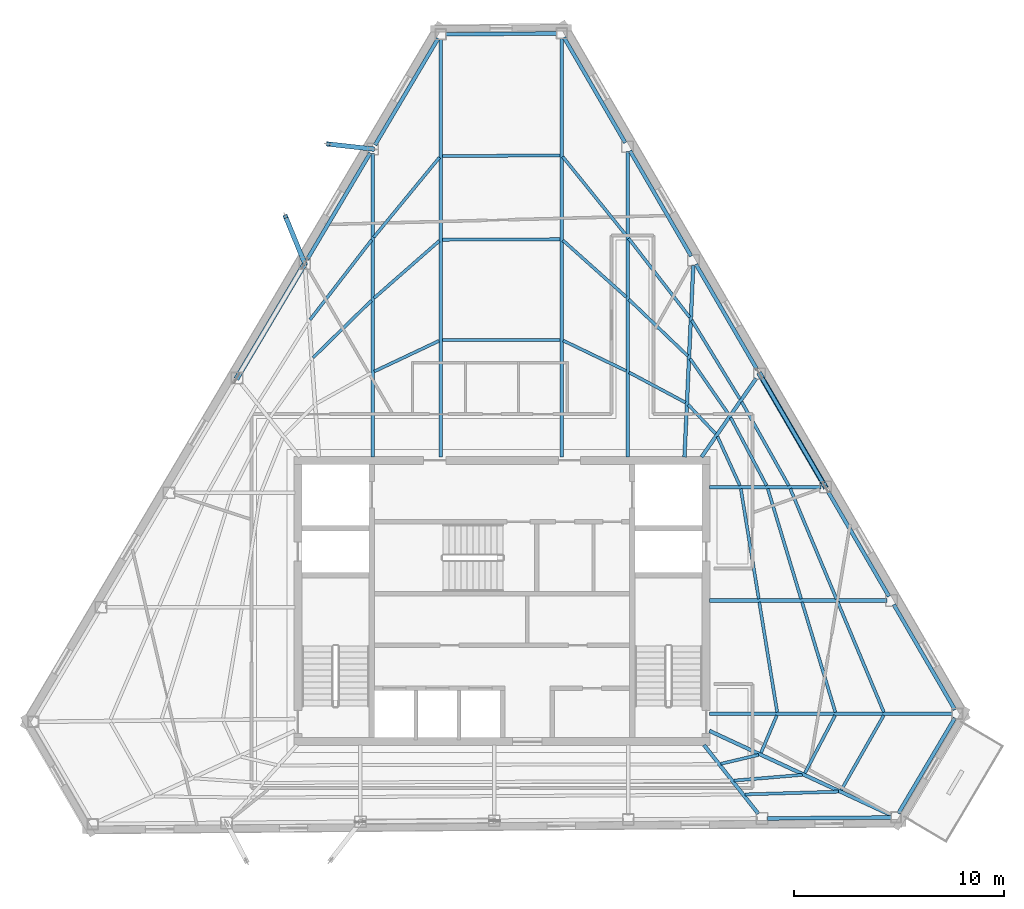
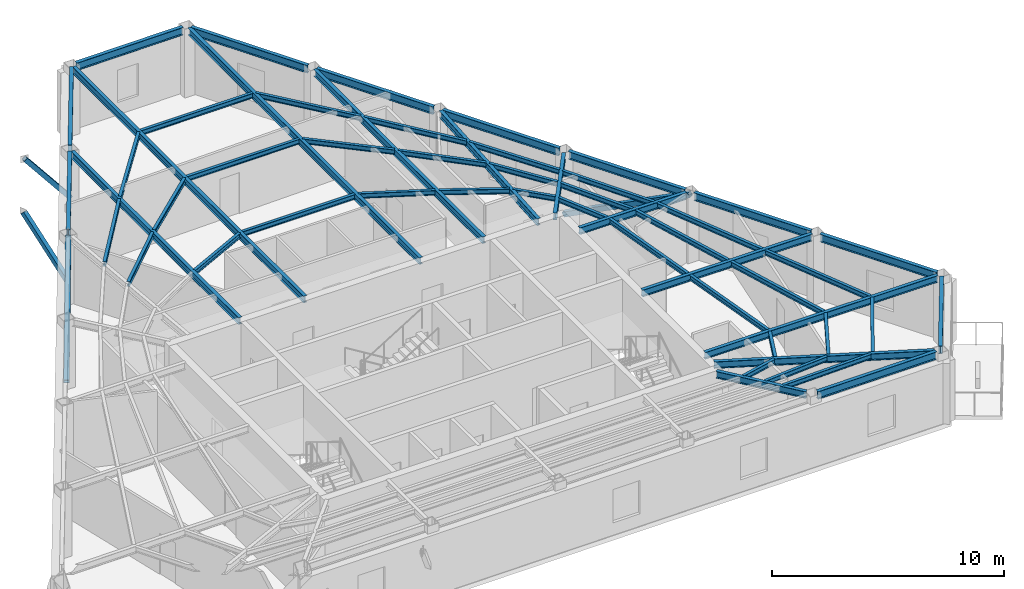
# One storey, part 2 of 10: 54 beams, 4 members.
"""IFC4 building model written with IfcOpenShell, lengths in metres."""

from ifc_helpers import new_model, si_unit, direction, frame, origin, origin_2d, place, context, subcontext, project, spatial, hollow_rectangle, i_section, extrude, material, material_profile, profile_set, type_object, element, save


model = new_model("IFC4")

# Units and contexts
model_context = context("Model", 3, precision=1e-05, world=origin(), true_north=direction((0.0, 1.0)))
body_context = subcontext(model_context, "Body", "Model", "MODEL_VIEW")
ifc_project = project(units=[si_unit("LENGTHUNIT", "METRE"), si_unit("AREAUNIT", "SQUARE_METRE"), si_unit("VOLUMEUNIT", "CUBIC_METRE"), si_unit("PLANEANGLEUNIT", "RADIAN"), si_unit("MASSUNIT", "GRAM", prefix="KILO")], contexts=[model_context])

# Site, building, storey
site_placement = place(None, origin())
site = spatial("IfcSite", under=ifc_project, at=site_placement, CompositionType="ELEMENT")
building_placement = place(site_placement, origin())
building = spatial("IfcBuilding", under=site, at=building_placement, Name="Kavelnor Concourse Tower", CompositionType="ELEMENT")
storey_placement = place(building_placement, frame((0.0, 0.0, 281.85009765625)))
storey = spatial("IfcBuildingStorey", under=building, at=storey_placement, Name="L71", CompositionType="ELEMENT", Elevation=281.85009765625)

# Beams
ifc_material = material(Name="Steel Grade 350", Category="steel")
ifc_material_profile_1 = material_profile(ifc_material, i_section(OverallWidth=0.14599609375, OverallDepth=0.256103515625, WebThickness=0.00634765625, FlangeThickness=0.010986328125, at=origin_2d()), Name="250UB37")
ifc_profile_set_1 = profile_set([ifc_material_profile_1], Name="Steel Grade 350")
beam_type_1 = type_object("IfcBeamType", Name="BM-JOIST-250", PredefinedType="JOIST", material=ifc_profile_set_1)
beam_1_placement = place(storey_placement, frame((48.409423828125, 8.3544921875, 3.48193359375), z_axis=(0.973084968917, 0.23044661696, 0.0), x_axis=(-0.23044661696, 0.973084968917, 0.0)))
element("IfcBeam", 1, at=beam_1_placement, inside=storey, type_object=beam_type_1, Name="L71 Secondary Composite Joist 08-1", PredefinedType="JOIST", context=body_context, shape_type="SweptSolid", body=[
    extrude(i_section(OverallWidth=0.14599609375, OverallDepth=0.256103515625, WebThickness=0.00634765625, FlangeThickness=0.010986328125, at=origin_2d()), origin(), (0.0, 0.0, 1.0), 1.8466796875),
])
beam_2_placement = place(storey_placement, frame((49.03125, 7.5576171875, 3.48193359375), z_axis=(0.996534907159, 0.083175590253, 0.0), x_axis=(-0.083175590253, 0.996534907159, 0.0)))
element("IfcBeam", 2, at=beam_2_placement, inside=storey, type_object=beam_type_1, Name="L71 Secondary Composite Joist 08-2", PredefinedType="JOIST", context=body_context, shape_type="SweptSolid", body=[
    extrude(i_section(OverallWidth=0.14599609375, OverallDepth=0.256103515625, WebThickness=0.00634765625, FlangeThickness=0.010986328125, at=origin_2d()), origin(), (0.0, 0.0, 1.0), 3.260986328125),
])
beam_3_placement = place(storey_placement, frame((49.548095703125, 6.899169921875, 3.48193359375), z_axis=(0.999567187147, 0.029418334064, 0.0), x_axis=(-0.029418334064, 0.999567187147, 0.0)))
element("IfcBeam", 3, at=beam_3_placement, inside=storey, type_object=beam_type_1, Name="L71 Secondary Composite Joist 08-3", PredefinedType="JOIST", context=body_context, shape_type="SweptSolid", body=[
    extrude(i_section(OverallWidth=0.14599609375, OverallDepth=0.256103515625, WebThickness=0.00634765625, FlangeThickness=0.010986328125, at=origin_2d()), origin(), (0.0, 0.0, 1.0), 4.46484375),
])
beam_4_placement = place(storey_placement, frame((50.318115234375, 8.87451171875, 3.48193359375), z_axis=(0.389017325912, 0.921230438132, 0.0), x_axis=(-0.921230438132, 0.389017325912, 0.0)))
element("IfcBeam", 4, at=beam_4_placement, inside=storey, type_object=beam_type_1, Name="L71 Secondary Composite Joist 09-1", PredefinedType="JOIST", context=body_context, shape_type="SweptSolid", body=[
    extrude(i_section(OverallWidth=0.14599609375, OverallDepth=0.256103515625, WebThickness=0.00634765625, FlangeThickness=0.010986328125, at=origin_2d()), origin(), (0.0, 0.0, 1.0), 1.931640625),
])
beam_5_placement = place(storey_placement, frame((52.400634765625, 7.908203125, 3.48193359375), z_axis=(0.464403743046, 0.88562360145, 0.0), x_axis=(-0.88562360145, 0.464403743046, 0.0)))
element("IfcBeam", 5, at=beam_5_placement, inside=storey, type_object=beam_type_1, Name="L71 Secondary Composite Joist 09-2", PredefinedType="JOIST", context=body_context, shape_type="SweptSolid", body=[
    extrude(i_section(OverallWidth=0.14599609375, OverallDepth=0.256103515625, WebThickness=0.00634765625, FlangeThickness=0.010986328125, at=origin_2d()), origin(), (0.0, 0.0, 1.0), 3.103759765625),
])
beam_6_placement = place(storey_placement, frame((54.133544921875, 7.10400390625, 3.48193359375), z_axis=(0.494388922965, 0.869240814073, 0.0), x_axis=(-0.869240814073, 0.494388922965, 0.0)))
element("IfcBeam", 6, at=beam_6_placement, inside=storey, type_object=beam_type_1, Name="L71 Secondary Composite Joist 09-3", PredefinedType="JOIST", context=body_context, shape_type="SweptSolid", body=[
    extrude(i_section(OverallWidth=0.14599609375, OverallDepth=0.256103515625, WebThickness=0.00634765625, FlangeThickness=0.010986328125, at=origin_2d()), origin(), (0.0, 0.0, 1.0), 4.0888671875),
])
beam_7_placement = place(storey_placement, frame((51.08837890625, 10.810302734375, 3.48193359375), z_axis=(-0.160694378785, 0.987004213075, 0.0), x_axis=(-0.987004213075, -0.160694378785, 0.0)))
element("IfcBeam", 7, at=beam_7_placement, inside=storey, type_object=beam_type_1, Name="L71 Secondary Composite Joist 10-1", PredefinedType="JOIST", context=body_context, shape_type="SweptSolid", body=[
    extrude(i_section(OverallWidth=0.14599609375, OverallDepth=0.256103515625, WebThickness=0.00634765625, FlangeThickness=0.010986328125, at=origin_2d()), origin(), (0.0, 0.0, 1.0), 5.30224609375),
])
beam_8_placement = place(storey_placement, frame((53.8564453125, 10.80810546875, 3.48193359375), z_axis=(-0.289414218228, 0.957203954383, 0.0), x_axis=(-0.957203954383, -0.289414218228, 0.0)))
element("IfcBeam", 8, at=beam_8_placement, inside=storey, type_object=beam_type_1, Name="L71 Secondary Composite Joist 10-2", PredefinedType="JOIST", context=body_context, shape_type="SweptSolid", body=[
    extrude(i_section(OverallWidth=0.14599609375, OverallDepth=0.256103515625, WebThickness=0.00634765625, FlangeThickness=0.010986328125, at=origin_2d()), origin(), (0.0, 0.0, 1.0), 5.47216796875),
])
beam_9_placement = place(storey_placement, frame((56.1640625, 10.80517578125, 3.48193359375), z_axis=(-0.386203522303, 0.922413594523, 0.0), x_axis=(-0.922413594523, -0.386203522303, 0.0)))
element("IfcBeam", 9, at=beam_9_placement, inside=storey, type_object=beam_type_1, Name="L71 Secondary Composite Joist 10-3", PredefinedType="JOIST", context=body_context, shape_type="SweptSolid", body=[
    extrude(i_section(OverallWidth=0.14599609375, OverallDepth=0.256103515625, WebThickness=0.00634765625, FlangeThickness=0.010986328125, at=origin_2d()), origin(), (0.0, 0.0, 1.0), 5.68505859375),
])
beam_10_placement = place(storey_placement, frame((50.210205078125, 16.20556640625, 3.48193359375), z_axis=(-0.160746538687, 0.986995719494, 0.0), x_axis=(-0.986995719494, -0.160746538687, 0.0)))
element("IfcBeam", 10, at=beam_10_placement, inside=storey, type_object=beam_type_1, Name="L71 Secondary Composite Joist 11-1", PredefinedType="JOIST", context=body_context, shape_type="SweptSolid", body=[
    extrude(i_section(OverallWidth=0.14599609375, OverallDepth=0.256103515625, WebThickness=0.00634765625, FlangeThickness=0.010986328125, at=origin_2d()), origin(), (0.0, 0.0, 1.0), 5.302001953125),
])
beam_11_placement = place(storey_placement, frame((52.22509765625, 16.203125, 3.48193359375), z_axis=(-0.289414218228, 0.957203954383, 0.0), x_axis=(-0.957203954383, -0.289414218228, 0.0)))
element("IfcBeam", 11, at=beam_11_placement, inside=storey, type_object=beam_type_1, Name="L71 Secondary Composite Joist 11-2", PredefinedType="JOIST", context=body_context, shape_type="SweptSolid", body=[
    extrude(i_section(OverallWidth=0.14599609375, OverallDepth=0.256103515625, WebThickness=0.00634765625, FlangeThickness=0.010986328125, at=origin_2d()), origin(), (0.0, 0.0, 1.0), 5.47216796875),
])
beam_12_placement = place(storey_placement, frame((53.9052734375, 16.2001953125, 3.48193359375), z_axis=(-0.386166981858, 0.922428892719, 0.0), x_axis=(-0.922428892719, -0.386166981858, 0.0)))
element("IfcBeam", 12, at=beam_12_placement, inside=storey, type_object=beam_type_1, Name="L71 Secondary Composite Joist 11-3", PredefinedType="JOIST", context=body_context, shape_type="SweptSolid", body=[
    extrude(i_section(OverallWidth=0.14599609375, OverallDepth=0.256103515625, WebThickness=0.00634765625, FlangeThickness=0.010986328125, at=origin_2d()), origin(), (0.0, 0.0, 1.0), 5.684814453125),
])
beam_13_placement = place(storey_placement, frame((49.310791015625, 21.59423828125, 3.48193359375), z_axis=(-0.415148026621, 0.909753876602, 0.0), x_axis=(-0.909753876602, -0.415148026621, 0.0)))
element("IfcBeam", 13, at=beam_13_placement, inside=storey, type_object=beam_type_1, Name="L71 Secondary Composite Joist 12-1", PredefinedType="JOIST", context=body_context, shape_type="SweptSolid", body=[
    extrude(i_section(OverallWidth=0.14599609375, OverallDepth=0.256103515625, WebThickness=0.00634765625, FlangeThickness=0.010986328125, at=origin_2d()), origin(), (0.0, 0.0, 1.0), 2.556396484375),
])
beam_14_placement = place(storey_placement, frame((50.579345703125, 21.59228515625, 3.48193359375), z_axis=(-0.466355847895, 0.884597209545, 0.0), x_axis=(-0.884597209545, -0.466355847895, 0.0)))
element("IfcBeam", 14, at=beam_14_placement, inside=storey, type_object=beam_type_1, Name="L71 Secondary Composite Joist 12-2", PredefinedType="JOIST", context=body_context, shape_type="SweptSolid", body=[
    extrude(i_section(OverallWidth=0.14599609375, OverallDepth=0.256103515625, WebThickness=0.00634765625, FlangeThickness=0.010986328125, at=origin_2d()), origin(), (0.0, 0.0, 1.0), 3.6484375),
])
beam_15_placement = place(storey_placement, frame((51.637939453125, 21.59130859375, 3.48193359375), z_axis=(-0.490372984196, 0.871512671377, 0.0), x_axis=(-0.871512671377, -0.490372984196, 0.0)))
element("IfcBeam", 15, at=beam_15_placement, inside=storey, type_object=beam_type_1, Name="L71 Secondary Composite Joist 12-3", PredefinedType="JOIST", context=body_context, shape_type="SweptSolid", body=[
    extrude(i_section(OverallWidth=0.14599609375, OverallDepth=0.256103515625, WebThickness=0.00634765625, FlangeThickness=0.010986328125, at=origin_2d()), origin(), (0.0, 0.0, 1.0), 4.56396484375),
])
beam_16_placement = place(storey_placement, frame((48.1591796875, 24.05419921875, 3.48193359375), z_axis=(-0.685668126003, 0.727914295081, 0.0), x_axis=(-0.727914295081, -0.685668126003, 0.0)))
element("IfcBeam", 16, at=beam_16_placement, inside=storey, type_object=beam_type_1, Name="L71 Secondary Composite Joist 13-1", PredefinedType="JOIST", context=body_context, shape_type="SweptSolid", body=[
    extrude(i_section(OverallWidth=0.14599609375, OverallDepth=0.256103515625, WebThickness=0.00634765625, FlangeThickness=0.010986328125, at=origin_2d()), origin(), (0.0, 0.0, 1.0), 1.906982421875),
])
beam_17_placement = place(storey_placement, frame((48.79296875, 24.959716796875, 3.48193359375), z_axis=(-0.569370176183, 0.822081262695, 0.0), x_axis=(-0.822081262695, -0.569370176183, 0.0)))
element("IfcBeam", 17, at=beam_17_placement, inside=storey, type_object=beam_type_1, Name="L71 Secondary Composite Joist 13-2", PredefinedType="JOIST", context=body_context, shape_type="SweptSolid", body=[
    extrude(i_section(OverallWidth=0.14599609375, OverallDepth=0.256103515625, WebThickness=0.00634765625, FlangeThickness=0.010986328125, at=origin_2d()), origin(), (0.0, 0.0, 1.0), 3.2490234375),
])
beam_18_placement = place(storey_placement, frame((49.31689453125, 25.710205078125, 3.48193359375), z_axis=(-0.521928666512, 0.852989136551, 0.0), x_axis=(-0.852989136551, -0.521928666512, 0.0)))
element("IfcBeam", 18, at=beam_18_placement, inside=storey, type_object=beam_type_1, Name="L71 Secondary Composite Joist 13-3", PredefinedType="JOIST", context=body_context, shape_type="SweptSolid", body=[
    extrude(i_section(OverallWidth=0.14599609375, OverallDepth=0.256103515625, WebThickness=0.00634765625, FlangeThickness=0.010986328125, at=origin_2d()), origin(), (0.0, 0.0, 1.0), 4.393798828125),
])
beam_19_placement = place(storey_placement, frame((46.722900390625, 25.540771484375, 3.48193359375), z_axis=(-0.88174266585, 0.47173071897, 0.0), x_axis=(-0.47173071897, -0.88174266585, 0.0)))
element("IfcBeam", 19, at=beam_19_placement, inside=storey, type_object=beam_type_1, Name="L71 Secondary Composite Joist 14-1", PredefinedType="JOIST", context=body_context, shape_type="SweptSolid", body=[
    extrude(i_section(OverallWidth=0.14599609375, OverallDepth=0.256103515625, WebThickness=0.00634765625, FlangeThickness=0.010986328125, at=origin_2d()), origin(), (0.0, 0.0, 1.0), 3.0380859375),
])
beam_20_placement = place(storey_placement, frame((46.83740234375, 27.754638671875, 3.48193359375), z_axis=(-0.721675813836, 0.692231189505, 0.0), x_axis=(-0.692231189505, -0.721675813836, 0.0)))
element("IfcBeam", 20, at=beam_20_placement, inside=storey, type_object=beam_type_1, Name="L71 Secondary Composite Joist 14-2", PredefinedType="JOIST", context=body_context, shape_type="SweptSolid", body=[
    extrude(i_section(OverallWidth=0.14599609375, OverallDepth=0.256103515625, WebThickness=0.00634765625, FlangeThickness=0.010986328125, at=origin_2d()), origin(), (0.0, 0.0, 1.0), 3.888671875),
])
beam_21_placement = place(storey_placement, frame((46.9306640625, 29.5927734375, 3.48193359375), z_axis=(-0.61236290128, 0.790576800276, 0.0), x_axis=(-0.790576800276, -0.61236290128, 0.0)))
element("IfcBeam", 21, at=beam_21_placement, inside=storey, type_object=beam_type_1, Name="L71 Secondary Composite Joist 14-3", PredefinedType="JOIST", context=body_context, shape_type="SweptSolid", body=[
    extrude(i_section(OverallWidth=0.14599609375, OverallDepth=0.256103515625, WebThickness=0.00634765625, FlangeThickness=0.010986328125, at=origin_2d()), origin(), (0.0, 0.0, 1.0), 4.74951171875),
])
beam_22_placement = place(storey_placement, frame((43.89794921875, 27.048095703125, 3.48193359375), z_axis=(-0.900951597745, 0.433919599143, 0.0), x_axis=(-0.433919599143, -0.900951597745, 0.0)))
element("IfcBeam", 22, at=beam_22_placement, inside=storey, type_object=beam_type_1, Name="L71 Secondary Composite Joist 15-1", PredefinedType="JOIST", context=body_context, shape_type="SweptSolid", body=[
    extrude(i_section(OverallWidth=0.14599609375, OverallDepth=0.256103515625, WebThickness=0.00634765625, FlangeThickness=0.010986328125, at=origin_2d()), origin(), (0.0, 0.0, 1.0), 3.31787109375),
])
beam_23_placement = place(storey_placement, frame((43.910888671875, 30.55810546875, 3.48193359375), z_axis=(-0.745424417899, 0.666590156843, 0.0), x_axis=(-0.666590156843, -0.745424417899, 0.0)))
element("IfcBeam", 23, at=beam_23_placement, inside=storey, type_object=beam_type_1, Name="L71 Secondary Composite Joist 15-2", PredefinedType="JOIST", context=body_context, shape_type="SweptSolid", body=[
    extrude(i_section(OverallWidth=0.14599609375, OverallDepth=0.256103515625, WebThickness=0.00634765625, FlangeThickness=0.010986328125, at=origin_2d()), origin(), (0.0, 0.0, 1.0), 4.04443359375),
])
beam_24_placement = place(storey_placement, frame((43.92041015625, 33.476318359375, 3.48193359375), z_axis=(-0.628313571195, 0.777960189375, 0.0), x_axis=(-0.777960189375, -0.628313571195, 0.0)))
element("IfcBeam", 24, at=beam_24_placement, inside=storey, type_object=beam_type_1, Name="L71 Secondary Composite Joist 15-3", PredefinedType="JOIST", context=body_context, shape_type="SweptSolid", body=[
    extrude(i_section(OverallWidth=0.14599609375, OverallDepth=0.256103515625, WebThickness=0.00634765625, FlangeThickness=0.010986328125, at=origin_2d()), origin(), (0.0, 0.0, 1.0), 4.8291015625),
])
for number, where, z_axis, x_axis, name in (
    (25, (40.752685546875, 28.52294921875, 3.48193359375), (-0.999997326435, -0.002312384743, 0.0), (0.002312384743, -0.999997326435, 0.0), "L71 Secondary Composite Joist 16-1"),
    (26, (40.752685546875, 33.30859375, 3.48193359375), (-0.999990671644, -0.004319331435, 0.0), (0.004319331435, -0.999990671644, 0.0), "L71 Secondary Composite Joist 16-2"),
    (27, (40.752685546875, 37.29638671875, 3.48193359375), (-0.999982396172, -0.005933577918, 0.0), (0.005933577918, -0.999982396172, 0.0), "L71 Secondary Composite Joist 16-3"),
):
    element("IfcBeam", number, at=place(storey_placement, frame(where, z_axis=z_axis, x_axis=x_axis)), inside=storey, type_object=beam_type_1, Name=name, PredefinedType="JOIST", context=body_context, shape_type="SweptSolid", body=[
        extrude(i_section(OverallWidth=0.14599609375, OverallDepth=0.256103515625, WebThickness=0.00634765625, FlangeThickness=0.010986328125, at=origin_2d()), origin(), (0.0, 0.0, 1.0), 5.595703125),
    ])
beam_25_placement = place(storey_placement, frame((35.000732421875, 28.474853515625, 3.48193359375), z_axis=(-0.904163339171, -0.427186910029, 0.0), x_axis=(0.427186910029, -0.904163339171, 0.0)))
element("IfcBeam", 28, at=beam_25_placement, inside=storey, type_object=beam_type_1, Name="L71 Secondary Composite Joist 17-1", PredefinedType="JOIST", context=body_context, shape_type="SweptSolid", body=[
    extrude(i_section(OverallWidth=0.14599609375, OverallDepth=0.256103515625, WebThickness=0.00634765625, FlangeThickness=0.010986328125, at=origin_2d()), origin(), (0.0, 0.0, 1.0), 3.407958984375),
])
beam_26_placement = place(storey_placement, frame((35.01318359375, 33.22998046875, 3.48193359375), z_axis=(-0.751628079919, -0.659587165943, 0.0), x_axis=(0.659587165943, -0.751628079919, 0.0)))
element("IfcBeam", 29, at=beam_26_placement, inside=storey, type_object=beam_type_1, Name="L71 Secondary Composite Joist 17-2", PredefinedType="JOIST", context=body_context, shape_type="SweptSolid", body=[
    extrude(i_section(OverallWidth=0.14599609375, OverallDepth=0.256103515625, WebThickness=0.00634765625, FlangeThickness=0.010986328125, at=origin_2d()), origin(), (0.0, 0.0, 1.0), 4.132568359375),
])
beam_27_placement = place(storey_placement, frame((35.022705078125, 37.199462890625, 3.48193359375), z_axis=(-0.635465358362, -0.772129379264, 0.0), x_axis=(0.772129379264, -0.635465358362, 0.0)))
element("IfcBeam", 30, at=beam_27_placement, inside=storey, type_object=beam_type_1, Name="L71 Secondary Composite Joist 17-3", PredefinedType="JOIST", context=body_context, shape_type="SweptSolid", body=[
    extrude(i_section(OverallWidth=0.14599609375, OverallDepth=0.256103515625, WebThickness=0.00634765625, FlangeThickness=0.010986328125, at=origin_2d()), origin(), (0.0, 0.0, 1.0), 4.91796875),
])
beam_28_placement = place(storey_placement, frame((31.78662109375, 30.392822265625, 3.48193359375), z_axis=(-0.714909738828, -0.699216751322, 0.0), x_axis=(0.699216751322, -0.714909738828, 0.0)))
element("IfcBeam", 31, at=beam_28_placement, inside=storey, type_object=beam_type_1, Name="L71 Secondary Composite Joist 18-2", PredefinedType="JOIST", context=body_context, shape_type="SweptSolid", body=[
    extrude(i_section(OverallWidth=0.14599609375, OverallDepth=0.256103515625, WebThickness=0.00634765625, FlangeThickness=0.010986328125, at=origin_2d()), origin(), (0.0, 0.0, 1.0), 3.889404296875),
])
beam_29_placement = place(storey_placement, frame((31.795166015625, 33.273681640625, 3.48193359375), z_axis=(-0.611098090236, -0.79155487751, 0.0), x_axis=(0.79155487751, -0.611098090236, 0.0)))
element("IfcBeam", 32, at=beam_29_placement, inside=storey, type_object=beam_type_1, Name="L71 Secondary Composite Joist 18-3", PredefinedType="JOIST", context=body_context, shape_type="SweptSolid", body=[
    extrude(i_section(OverallWidth=0.14599609375, OverallDepth=0.256103515625, WebThickness=0.00634765625, FlangeThickness=0.010986328125, at=origin_2d()), origin(), (0.0, 0.0, 1.0), 4.79345703125),
])
ifc_material_profile_2 = material_profile(ifc_material, i_section(OverallWidth=0.172119140625, OverallDepth=0.35888671875, WebThickness=0.008056640625, FlangeThickness=0.012939453125, at=origin_2d()), Name="360UB56")
ifc_profile_set_2 = profile_set([ifc_material_profile_2], Name="Steel Grade 350")
beam_type_2 = type_object("IfcBeamType", Name="BM-PRIMARY-360", PredefinedType="BEAM", material=ifc_profile_set_2)
beam_30_placement = place(storey_placement, frame((35.074951171875, 22.93994140625, 3.430419921875), z_axis=(0.0, 1.0, 0.0), x_axis=(-1.0, 0.0, 0.0)))
element("IfcBeam", 33, at=beam_30_placement, inside=storey, type_object=beam_type_2, Name="L71 Primary Floor Girder F0-B0", PredefinedType="BEAM", context=body_context, shape_type="SweptSolid", body=[
    extrude(i_section(OverallWidth=0.172119140625, OverallDepth=0.35888671875, WebThickness=0.008056640625, FlangeThickness=0.012939453125, at=origin_2d()), origin(), (0.0, 0.0, 1.0), 19.892578125),
])
beam_31_placement = place(storey_placement, frame((31.84521484375, 22.93994140625, 3.430419921875), z_axis=(0.0, 1.0, 0.0), x_axis=(-1.0, 0.0, 0.0)))
element("IfcBeam", 34, at=beam_31_placement, inside=storey, type_object=beam_type_2, Name="L71 Primary Floor Girder F0-B1", PredefinedType="BEAM", context=body_context, shape_type="SweptSolid", body=[
    extrude(i_section(OverallWidth=0.172119140625, OverallDepth=0.35888671875, WebThickness=0.008056640625, FlangeThickness=0.012939453125, at=origin_2d()), origin(), (0.0, 0.0, 1.0), 14.442626953125),
])
beam_32_placement = place(storey_placement, frame((47.606201171875, 9.25146484375, 3.430419921875), z_axis=(0.619868377695, -0.784705801134, 0.0), x_axis=(0.784705801134, 0.619868377695, 0.0)))
element("IfcBeam", 35, at=beam_32_placement, inside=storey, type_object=beam_type_2, Name="L71 Primary Floor Girder F1-B5", PredefinedType="BEAM", context=body_context, shape_type="SweptSolid", body=[
    extrude(i_section(OverallWidth=0.172119140625, OverallDepth=0.35888671875, WebThickness=0.008056640625, FlangeThickness=0.012939453125, at=origin_2d()), origin(), (0.0, 0.0, 1.0), 4.167724609375),
])
beam_33_placement = place(storey_placement, frame((47.86376953125, 9.923095703125, 3.430419921875), z_axis=(0.907105667134, -0.420902968216, 0.0), x_axis=(0.420902968216, 0.907105667134, 0.0)))
element("IfcBeam", 36, at=beam_33_placement, inside=storey, type_object=beam_type_2, Name="L71 Primary Floor Girder F1-B6", PredefinedType="BEAM", context=body_context, shape_type="SweptSolid", body=[
    extrude(i_section(OverallWidth=0.172119140625, OverallDepth=0.35888671875, WebThickness=0.008056640625, FlangeThickness=0.012939453125, at=origin_2d()), origin(), (0.0, 0.0, 1.0), 9.53759765625),
])
beam_34_placement = place(storey_placement, frame((47.860107421875, 10.7294921875, 3.430419921875), z_axis=(1.0, 0.0, 0.0), x_axis=(0.0, 1.0, 0.0)))
element("IfcBeam", 37, at=beam_34_placement, inside=storey, type_object=beam_type_2, Name="L71 Primary Floor Girder F2-B0", PredefinedType="BEAM", context=body_context, shape_type="SweptSolid", body=[
    extrude(i_section(OverallWidth=0.172119140625, OverallDepth=0.35888671875, WebThickness=0.008056640625, FlangeThickness=0.012939453125, at=origin_2d()), origin(), (0.0, 0.0, 1.0), 11.5771484375),
])
beam_35_placement = place(storey_placement, frame((47.860107421875, 16.12451171875, 3.430419921875), z_axis=(1.0, 0.0, 0.0), x_axis=(0.0, 1.0, 0.0)))
element("IfcBeam", 38, at=beam_35_placement, inside=storey, type_object=beam_type_2, Name="L71 Primary Floor Girder F2-B1", PredefinedType="BEAM", context=body_context, shape_type="SweptSolid", body=[
    extrude(i_section(OverallWidth=0.172119140625, OverallDepth=0.35888671875, WebThickness=0.008056640625, FlangeThickness=0.012939453125, at=origin_2d()), origin(), (0.0, 0.0, 1.0), 8.440185546875),
])
beam_36_placement = place(storey_placement, frame((47.860107421875, 21.519775390625, 3.430419921875), z_axis=(1.0, 0.0, 0.0), x_axis=(0.0, 1.0, 0.0)))
element("IfcBeam", 39, at=beam_36_placement, inside=storey, type_object=beam_type_2, Name="L71 Primary Floor Girder F2-B2", PredefinedType="BEAM", context=body_context, shape_type="SweptSolid", body=[
    extrude(i_section(OverallWidth=0.172119140625, OverallDepth=0.35888671875, WebThickness=0.008056640625, FlangeThickness=0.012939453125, at=origin_2d()), origin(), (0.0, 0.0, 1.0), 5.302978515625),
])
beam_37_placement = place(storey_placement, frame((47.4873046875, 22.947265625, 3.430419921875), z_axis=(0.57086976326, 0.821040628346, 0.0), x_axis=(-0.821040628346, 0.57086976326, 0.0)))
element("IfcBeam", 40, at=beam_37_placement, inside=storey, type_object=beam_type_2, Name="L71 Primary Floor Girder F2-B3", PredefinedType="BEAM", context=body_context, shape_type="SweptSolid", body=[
    extrude(i_section(OverallWidth=0.172119140625, OverallDepth=0.35888671875, WebThickness=0.008056640625, FlangeThickness=0.012939453125, at=origin_2d()), origin(), (0.0, 0.0, 1.0), 4.555419921875),
])
beam_38_placement = place(storey_placement, frame((46.67724609375, 22.93994140625, 3.430419921875), z_axis=(0.046031521393, 0.998939987706, 0.0), x_axis=(-0.998939987706, 0.046031521393, 0.0)))
element("IfcBeam", 41, at=beam_38_placement, inside=storey, type_object=beam_type_2, Name="L71 Primary Floor Girder F2-B4", PredefinedType="BEAM", context=body_context, shape_type="SweptSolid", body=[
    extrude(i_section(OverallWidth=0.172119140625, OverallDepth=0.35888671875, WebThickness=0.008056640625, FlangeThickness=0.012939453125, at=origin_2d()), origin(), (0.0, 0.0, 1.0), 9.15966796875),
])
beam_39_placement = place(storey_placement, frame((43.971923828125, 22.93994140625, 3.430419921875), z_axis=(0.0, 1.0, 0.0), x_axis=(-1.0, 0.0, 0.0)))
element("IfcBeam", 42, at=beam_39_placement, inside=storey, type_object=beam_type_2, Name="L71 Primary Floor Girder F2-B5", PredefinedType="BEAM", context=body_context, shape_type="SweptSolid", body=[
    extrude(i_section(OverallWidth=0.172119140625, OverallDepth=0.35888671875, WebThickness=0.008056640625, FlangeThickness=0.012939453125, at=origin_2d()), origin(), (0.0, 0.0, 1.0), 14.545166015625),
])
beam_40_placement = place(storey_placement, frame((40.834716796875, 22.93994140625, 3.430419921875), z_axis=(0.0, 1.0, 0.0), x_axis=(-1.0, 0.0, 0.0)))
element("IfcBeam", 43, at=beam_40_placement, inside=storey, type_object=beam_type_2, Name="L71 Primary Floor Girder F2-B6", PredefinedType="BEAM", context=body_context, shape_type="SweptSolid", body=[
    extrude(i_section(OverallWidth=0.172119140625, OverallDepth=0.35888671875, WebThickness=0.008056640625, FlangeThickness=0.012939453125, at=origin_2d()), origin(), (0.0, 0.0, 1.0), 19.940185546875),
])
ifc_material_profile_3 = material_profile(ifc_material, i_section(OverallWidth=0.177978515625, OverallDepth=0.406005859375, WebThickness=0.0078125, FlangeThickness=0.0126953125, at=origin_2d()), Name="410UB59")
ifc_profile_set_3 = profile_set([ifc_material_profile_3], Name="Steel Grade 350")
beam_type_3 = type_object("IfcBeamType", Name="BM-SPANDREL-Z4", PredefinedType="SPANDREL", material=ifc_profile_set_3)
for number, where, z_axis, x_axis, name in (
    (44, (34.960205078125, 42.85888671875, 3.406982421875), (-0.509814899064, -0.860284120912, 0.0), (0.860284120912, -0.509814899064, 0.0), "L71 Perimeter Tube Spandrel Beam F0-B0"),
    (45, (31.730712890625, 37.408935546875, 3.406982421875), (-0.509814899064, -0.860284120912, 0.0), (0.860284120912, -0.509814899064, 0.0), "L71 Perimeter Tube Spandrel Beam F0-B1"),
):
    element("IfcBeam", number, at=place(storey_placement, frame(where, z_axis=z_axis, x_axis=x_axis)), inside=storey, type_object=beam_type_3, Name=name, PredefinedType="SPANDREL", context=body_context, shape_type="SweptSolid", body=[
        extrude(i_section(OverallWidth=0.177978515625, OverallDepth=0.406005859375, WebThickness=0.0078125, FlangeThickness=0.0126953125, at=origin_2d()), origin(), (0.0, 0.0, 1.0), 5.885009765625),
    ])
beam_41_placement = place(storey_placement, frame((40.60986328125, 43.09814453125, 3.406982421875), z_axis=(-0.999966136216, -0.008229606362, 0.0), x_axis=(0.008229606362, -0.999966136216, 0.0)))
element("IfcBeam", 46, at=beam_41_placement, inside=storey, type_object=beam_type_3, Name="L71 Chamfer Facet Spandrel Beam C0", PredefinedType="SPANDREL", context=body_context, shape_type="SweptSolid", body=[
    extrude(i_section(OverallWidth=0.177978515625, OverallDepth=0.406005859375, WebThickness=0.0078125, FlangeThickness=0.0126953125, at=origin_2d()), origin(), (0.0, 0.0, 1.0), 5.310302734375),
])
beam_42_placement = place(storey_placement, frame((50.59521484375, 5.75439453125, 3.406982421875), z_axis=(0.999966314293, 0.008207939966, 0.0), x_axis=(-0.008207939966, 0.999966314293, 0.0)))
element("IfcBeam", 47, at=beam_42_placement, inside=storey, type_object=beam_type_3, Name="L71 Perimeter Tube Spandrel Beam F1-B5", PredefinedType="SPANDREL", context=body_context, shape_type="SweptSolid", body=[
    extrude(i_section(OverallWidth=0.177978515625, OverallDepth=0.406005859375, WebThickness=0.0078125, FlangeThickness=0.0126953125, at=origin_2d()), origin(), (0.0, 0.0, 1.0), 5.919189453125),
])
for number, where, z_axis, x_axis, name in (
    (48, (59.544189453125, 10.924072265625, 3.406982421875), (-0.502667353506, 0.864479919789, 0.0), (-0.864479919789, -0.502667353506, 0.0), "L71 Perimeter Tube Spandrel Beam F2-B0"),
    (49, (56.406982421875, 16.319091796875, 3.406982421875), (-0.502667353506, 0.864479919789, 0.0), (-0.864479919789, -0.502667353506, 0.0), "L71 Perimeter Tube Spandrel Beam F2-B1"),
    (50, (53.27001953125, 21.714111328125, 3.406982421875), (-0.502667353506, 0.864479919789, 0.0), (-0.864479919789, -0.502667353506, 0.0), "L71 Perimeter Tube Spandrel Beam F2-B2"),
    (51, (50.1328125, 27.109375, 3.406982421875), (-0.502635845657, 0.864498239825, 0.0), (-0.864498239825, -0.502635845657, 0.0), "L71 Perimeter Tube Spandrel Beam F2-B3"),
    (52, (46.995849609375, 32.50439453125, 3.406982421875), (-0.502667353506, 0.864479919789, 0.0), (-0.864479919789, -0.502667353506, 0.0), "L71 Perimeter Tube Spandrel Beam F2-B4"),
    (53, (43.85888671875, 37.8994140625, 3.406982421875), (-0.502667353506, 0.864479919789, 0.0), (-0.864479919789, -0.502667353506, 0.0), "L71 Perimeter Tube Spandrel Beam F2-B5"),
):
    element("IfcBeam", number, at=place(storey_placement, frame(where, z_axis=z_axis, x_axis=x_axis)), inside=storey, type_object=beam_type_3, Name=name, PredefinedType="SPANDREL", context=body_context, shape_type="SweptSolid", body=[
        extrude(i_section(OverallWidth=0.177978515625, OverallDepth=0.406005859375, WebThickness=0.0078125, FlangeThickness=0.0126953125, at=origin_2d()), origin(), (0.0, 0.0, 1.0), 5.790771484375),
    ])
beam_43_placement = place(storey_placement, frame((56.85400390625, 5.99853515625, 3.406982421875), z_axis=(0.509756709511, 0.860318602094, 0.0), x_axis=(-0.860318602094, 0.509756709511, 0.0)))
element("IfcBeam", 54, at=beam_43_placement, inside=storey, type_object=beam_type_3, Name="L71 Chamfer Facet Spandrel Beam C2", PredefinedType="SPANDREL", context=body_context, shape_type="SweptSolid", body=[
    extrude(i_section(OverallWidth=0.177978515625, OverallDepth=0.406005859375, WebThickness=0.0078125, FlangeThickness=0.0126953125, at=origin_2d()), origin(), (0.0, 0.0, 1.0), 5.27392578125),
])

# Members
ifc_material_profile_4 = material_profile(ifc_material, hollow_rectangle(XDim=0.219970703125, YDim=0.219970703125, WallThickness=0.013916015625, at=origin_2d()), Name="SHS 220x220x14")
ifc_profile_set_4 = profile_set([ifc_material_profile_4], Name="Steel Grade 350")
member_type_1 = type_object("IfcMemberType", Name="MBR-BALC-STRUT-220", PredefinedType="STRUT", material=ifc_profile_set_4)
member_1_placement = place(storey_placement, frame((31.84521484375, 37.6025390625, 1.0498046875), z_axis=(-0.628693402886, 0.06968544819, 0.774524721025), x_axis=(-0.110167020552, -0.993913088546, 0.0)))
element("IfcMember", 55, at=member_1_placement, inside=storey, type_object=member_type_1, Name="L71 Tree Balcony Raking Knee Strut 1-A", PredefinedType="STRUT", context=body_context, shape_type="SweptSolid", body=[
    extrude(hollow_rectangle(XDim=0.219970703125, YDim=0.219970703125, WallThickness=0.013916015625, at=origin_2d()), origin(), (0.0, 0.0, 1.0), 3.36328125),
])
member_2_placement = place(storey_placement, frame((28.61572265625, 32.152587890625, 1.0498046875), z_axis=(-0.25805260309, 0.629749979494, 0.732682617076), x_axis=(-0.925326612038, -0.379171018214, 0.0)))
element("IfcMember", 56, at=member_2_placement, inside=storey, type_object=member_type_1, Name="L71 Tree Balcony Raking Knee Strut 1-B", PredefinedType="STRUT", context=body_context, shape_type="SweptSolid", body=[
    extrude(hollow_rectangle(XDim=0.219970703125, YDim=0.219970703125, WallThickness=0.013916015625, at=origin_2d()), origin(), (0.0, 0.0, 1.0), 3.555419921875),
])
ifc_material_profile_5 = material_profile(ifc_material, hollow_rectangle(XDim=0.25, YDim=0.25, WallThickness=0.01611328125, at=origin_2d()), Name="SHS 250x250x16")
ifc_profile_set_5 = profile_set([ifc_material_profile_5], Name="Steel Grade 350")
member_type_2 = type_object("IfcMemberType", Name="MBR-TUBE-DIAG-Z4", PredefinedType="BRACE", material=ifc_profile_set_5)
member_3_placement = place(storey_placement, frame((25.38623046875, 26.702392578125, 0.219970703125), z_axis=(0.455394561667, 0.768538569297, 0.449404339885), x_axis=(-0.860309060799, 0.509772812052, 0.0)))
element("IfcMember", 57, at=member_3_placement, inside=storey, type_object=member_type_2, Name="L71 Framed-Tube Bracing Diagonal F0-B2", PredefinedType="BRACE", context=body_context, shape_type="SweptSolid", body=[
    extrude(hollow_rectangle(XDim=0.25, YDim=0.25, WallThickness=0.01611328125, at=origin_2d()), origin(), (0.0, 0.0, 1.0), 7.091552734375),
])
member_4_placement = place(storey_placement, frame((50.24609375, 26.914794921875, 0.219970703125), z_axis=(0.447663577441, -0.769901917215, 0.454805847919), x_axis=(0.864484652791, 0.502659213671, 0.0)))
element("IfcMember", 58, at=member_4_placement, inside=storey, type_object=member_type_2, Name="L71 Framed-Tube Bracing Diagonal F2-B2", PredefinedType="BRACE", context=body_context, shape_type="SweptSolid", body=[
    extrude(hollow_rectangle(XDim=0.25, YDim=0.25, WallThickness=0.01611328125, at=origin_2d()), origin(), (0.0, 0.0, 1.0), 7.00732421875),
])

save(model, "model.ifc")
